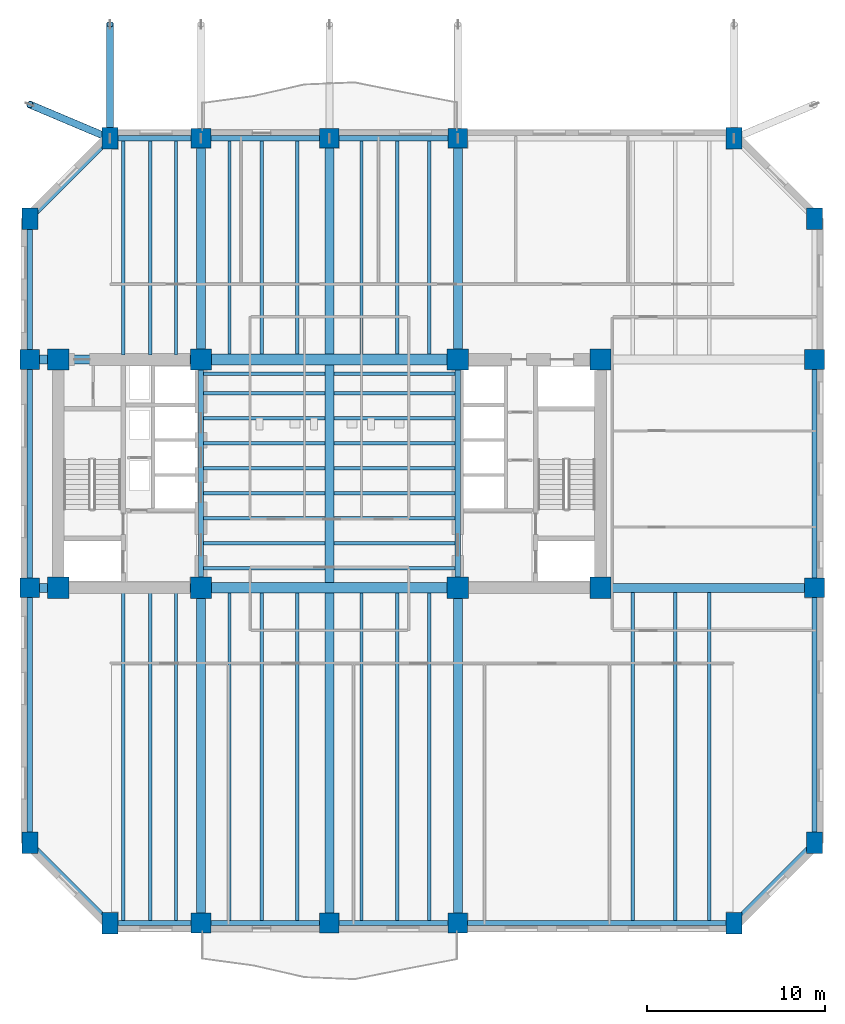
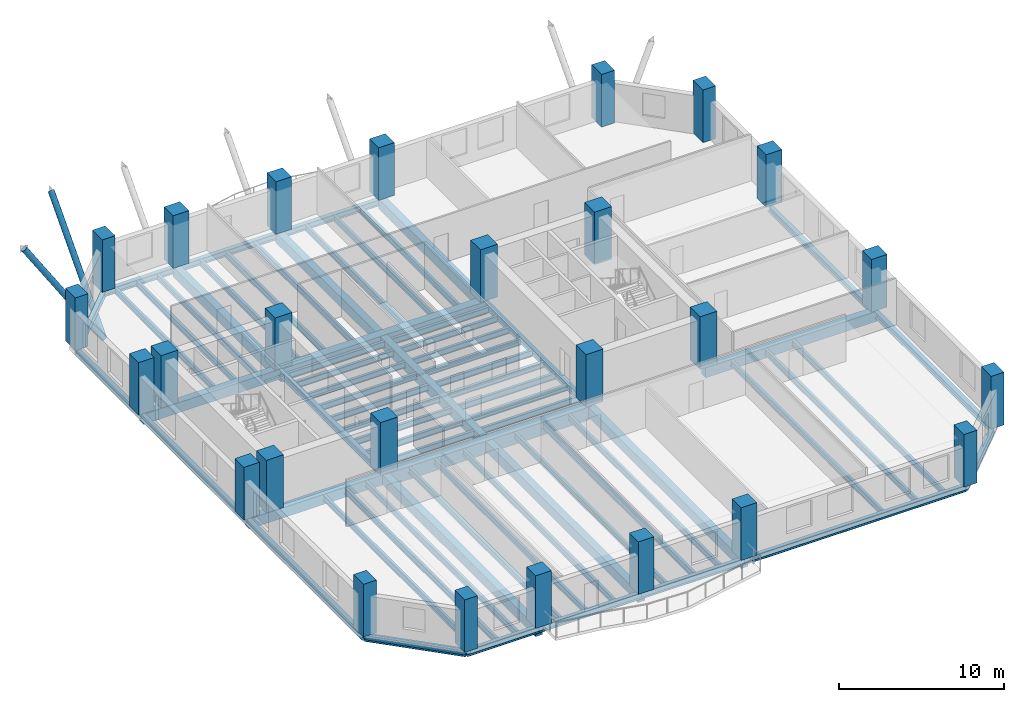
# One storey, part 1 of 12: 68 beams, 26 columns, 2 members.
"""IFC4 building model written with IfcOpenShell, lengths in metres."""

import ifcopenshell
import ifcopenshell.guid

model = None  # the IFC model being written
_history = None  # IfcOwnerHistory: only IFC2X3 demands one
_inside = {}  # id of a spatial element -> (the spatial element, [elements in it])
_under = {}  # id of a project, library or spatial element -> (it, [spatial elements below it])
_declared = {}  # id of a project -> (the project, [libraries it declares])
_typed = {}  # id of a type object -> (the type object, [elements of that type])
_made_of = {}  # id of a material, layer set ... -> (it, [elements and type objects made of it])


def new_model(schema):
    """Start an empty IFC model of exactly this schema.

    Asked for "IFC4X3", IfcOpenShell would pick the latest addendum, in which some entities
    have other attributes; the version numbers below select the first issue.
    IFC2X3 requires an IfcOwnerHistory on every rooted entity: one is made here for all.
    """
    global model, _history
    if schema == "IFC4X3":
        model = ifcopenshell.file(schema_version=(4, 3, 0, 0))
    else:
        model = ifcopenshell.file(schema=schema)
    _inside.clear()
    _under.clear()
    _declared.clear()
    _typed.clear()
    _made_of.clear()
    _history = None
    if model.schema == "IFC2X3":
        org = make("IfcOrganization", Name="unknown")
        user = make(
            "IfcPersonAndOrganization",
            ThePerson=make("IfcPerson", FamilyName="unknown"),
            TheOrganization=org,
        )
        app = make(
            "IfcApplication",
            ApplicationDeveloper=org,
            Version="unknown",
            ApplicationFullName="unknown",
            ApplicationIdentifier="unknown",
        )
        _history = make(
            "IfcOwnerHistory",
            OwningUser=user,
            OwningApplication=app,
            ChangeAction="ADDED",
            CreationDate=0,
        )
    return model


def make(cls, **values):
    """One entity of the class cls with the attributes given. An attribute that is None is left unset."""
    return model.create_entity(
        cls, **{name: value for name, value in values.items() if value is not None}
    )


def rooted(cls, **values):
    """An entity with a GlobalId (a new one), such as an element, a storey or a relation."""
    return make(cls, GlobalId=ifcopenshell.guid.new(), OwnerHistory=_history, **values)


def si_unit(unit_type, name, prefix=None):
    """IfcSIUnit, for example si_unit("LENGTHUNIT", "METRE", prefix="MILLI")."""
    return make("IfcSIUnit", UnitType=unit_type, Prefix=prefix, Name=name)


def assignment(units):
    """IfcUnitAssignment: the units of a project."""
    return None if units is None else make("IfcUnitAssignment", Units=units)


def point(xyz):
    """IfcCartesianPoint."""
    return None if xyz is None else make("IfcCartesianPoint", Coordinates=xyz)


def direction(xyz):
    """IfcDirection."""
    return None if xyz is None else make("IfcDirection", DirectionRatios=xyz)


def frame(location, z_axis=None, x_axis=None):
    """IfcAxis2Placement3D, a coordinate frame: its origin and axes. An axis left out is left unset."""
    return make(
        "IfcAxis2Placement3D",
        Location=point(location),
        Axis=direction(z_axis),
        RefDirection=direction(x_axis),
    )


def frame_2d(location, x_axis=None):
    """IfcAxis2Placement2D, a coordinate frame in the plane: its origin and x axis."""
    return make(
        "IfcAxis2Placement2D", Location=point(location), RefDirection=direction(x_axis)
    )


def origin():
    """The frame at (0, 0, 0) with its axes left unset."""
    return frame((0.0, 0.0, 0.0))


def origin_2d():
    """The frame at (0, 0) in the plane with its x axis left unset."""
    return frame_2d((0.0, 0.0))


def place(relative_to, where):
    """IfcLocalPlacement: puts the frame where relative to a parent placement (None: the world)."""
    return make(
        "IfcLocalPlacement", PlacementRelTo=relative_to, RelativePlacement=where
    )


def context(
    kind, dimensions, precision=None, world=None, true_north=None, identifier=None
):
    """IfcGeometricRepresentationContext, for example the 3D "Model" context."""
    return make(
        "IfcGeometricRepresentationContext",
        ContextIdentifier=identifier,
        ContextType=kind,
        CoordinateSpaceDimension=dimensions,
        Precision=precision,
        WorldCoordinateSystem=world,
        TrueNorth=true_north,
    )


def subcontext(parent, identifier, kind, view, scale=None):
    """IfcGeometricRepresentationSubContext, for example "Body" below "Model"."""
    return make(
        "IfcGeometricRepresentationSubContext",
        ContextIdentifier=identifier,
        ContextType=kind,
        ParentContext=parent,
        TargetScale=scale,
        TargetView=view,
    )


def project(units=None, contexts=None):
    """IfcProject with its units and contexts."""
    return rooted(
        "IfcProject",
        Name="project",
        RepresentationContexts=contexts,
        UnitsInContext=assignment(units),
    )


def spatial(cls, under=None, at=None, **own):
    """A site, building, storey or space (cls), placed at a placement, below another one or the project."""
    s = rooted(cls, ObjectPlacement=at, **own)
    if under is not None:
        _under.setdefault(under.id(), (under, []))[1].append(s)
    return s


def profile(cls, at=None, kind="AREA", **sizes):
    """A parametric profile (cls). Its sizes go by their IFC names, for example OverallWidth=200.0."""
    return make(cls, ProfileType=kind, Position=at, **sizes)


def rectangle(**sizes):
    """IfcRectangleProfileDef."""
    return profile("IfcRectangleProfileDef", **sizes)


def hollow_circle(**sizes):
    """IfcCircleHollowProfileDef."""
    return profile("IfcCircleHollowProfileDef", **sizes)


def i_section(**sizes):
    """IfcIShapeProfileDef."""
    return profile("IfcIShapeProfileDef", **sizes)


def extrude(swept, where, along, depth):
    """IfcExtrudedAreaSolid: the profile swept, set in the frame where, extruded along a direction by depth."""
    return make(
        "IfcExtrudedAreaSolid",
        SweptArea=swept,
        Position=where,
        ExtrudedDirection=direction(along),
        Depth=depth,
    )


def shape(context_of_items, identifier, shape_type, items):
    """IfcShapeRepresentation: the items that make up one representation, for example the "Body"."""
    return make(
        "IfcShapeRepresentation",
        ContextOfItems=context_of_items,
        RepresentationIdentifier=identifier,
        RepresentationType=shape_type,
        Items=items,
    )


def material(Name=None, Category=None):
    """IfcMaterial."""
    return make("IfcMaterial", Name=Name, Category=Category)


def material_profile(
    of_material, cross_section, Name=None, Category=None, Priority=None
):
    """IfcMaterialProfile: a cross section and its material."""
    return make(
        "IfcMaterialProfile",
        Name=Name,
        Material=of_material,
        Profile=cross_section,
        Priority=Priority,
        Category=Category,
    )


def profile_set(profiles, Name=None, composite=None):
    """IfcMaterialProfileSet."""
    return make(
        "IfcMaterialProfileSet",
        Name=Name,
        MaterialProfiles=profiles,
        CompositeProfile=composite,
    )


def made_of(thing, what):
    """Note that an element or type object is made of a material, layer set ...; save() writes the relation."""
    if what is not None:
        _made_of.setdefault(what.id(), (what, []))[1].append(thing)
    return thing


def type_object(cls, material=None, **own):
    """A type object (cls), such as IfcWallType, which elements share."""
    return made_of(rooted(cls, **own), material)


def element(
    cls,
    number,
    at=None,
    inside=None,
    cuts=None,
    type_object=None,
    material=None,
    context=None,
    identifier="Body",
    shape_type=None,
    held_by="IfcProductDefinitionShape",
    body=None,
    shapes=None,
    **own,
):
    """One element of the class cls, such as IfcWall. Its Tag is "e" and its number.

    at: its placement. inside: the storey or other place that contains it. cuts: it is an
    opening in that element (IfcRelVoidsElement). A single representation is given by context,
    identifier, shape_type and body (its items); several are given by shapes. held_by: the class
    of the entity that holds the representations. save() writes the other relations.
    """
    e = rooted(cls, Tag="e%d" % number, ObjectPlacement=at, **own)
    if body is not None:
        shapes = [shape(context, identifier, shape_type, body)]
    if shapes is not None:
        e.Representation = make(held_by, Representations=shapes)
    if inside is not None:
        _inside.setdefault(inside.id(), (inside, []))[1].append(e)
    if cuts is not None:
        rooted(
            "IfcRelVoidsElement", RelatingBuildingElement=cuts, RelatedOpeningElement=e
        )
    if type_object is not None:
        _typed.setdefault(type_object.id(), (type_object, []))[1].append(e)
    return made_of(e, material)


def aggregate(whole, parts):
    """IfcRelAggregates: a whole, such as a stair, and the parts it consists of."""
    return rooted("IfcRelAggregates", RelatingObject=whole, RelatedObjects=parts)


def save(model, path):
    """Write the relations noted so far, then the file.

    IfcRelAggregates (storeys below a building ...), IfcRelContainedInSpatialStructure (elements
    in a storey), IfcRelDefinesByType, IfcRelAssociatesMaterial and IfcRelDeclares: one each for
    every whole, place, type object, material and project.
    """
    for whole, parts in _under.values():
        aggregate(whole, parts)
    for where, things in _inside.values():
        rooted(
            "IfcRelContainedInSpatialStructure",
            RelatedElements=things,
            RelatingStructure=where,
        )
    for kind, things in _typed.values():
        rooted("IfcRelDefinesByType", RelatedObjects=things, RelatingType=kind)
    for what, things in _made_of.values():
        rooted("IfcRelAssociatesMaterial", RelatedObjects=things, RelatingMaterial=what)
    for by, libraries in _declared.values():
        rooted("IfcRelDeclares", RelatingContext=by, RelatedDefinitions=libraries)
    model.write(path)


model = new_model("IFC4")

# Units and contexts
model_context = context("Model", 3, precision=1e-05, world=origin(), true_north=direction((0.0, 1.0)))
body_context = subcontext(model_context, "Body", "Model", "MODEL_VIEW")
ifc_project = project(units=[si_unit("LENGTHUNIT", "METRE"), si_unit("AREAUNIT", "SQUARE_METRE"), si_unit("VOLUMEUNIT", "CUBIC_METRE"), si_unit("PLANEANGLEUNIT", "RADIAN"), si_unit("MASSUNIT", "GRAM", prefix="KILO")], contexts=[model_context])

# Site, building, storey
site_placement = place(None, origin())
site = spatial("IfcSite", under=ifc_project, at=site_placement, CompositionType="ELEMENT")
building_placement = place(site_placement, origin())
building = spatial("IfcBuilding", under=site, at=building_placement, Name="Kranthara Brick Stack", CompositionType="ELEMENT")
storey_placement = place(building_placement, frame((0.0, 0.0, 67.199951171875)))
storey = spatial("IfcBuildingStorey", under=building, at=storey_placement, Name="L16", CompositionType="ELEMENT", Elevation=67.199951171875)

# Columns
ifc_material_1 = material(Name="Concrete C70/85", Category="concrete")
ifc_material_profile_1 = material_profile(ifc_material_1, rectangle(XDim=0.89990234375, YDim=1.199951171875, at=origin_2d()), Name="RC 900x1200")
ifc_profile_set_1 = profile_set([ifc_material_profile_1], Name="Concrete C70/85")
column_type_1 = type_object("IfcColumnType", Name="COL-CHAM-900x1200", PredefinedType="COLUMN", material=ifc_profile_set_1)
for number, where, z_axis, x_axis, name in (
    (1, (15.699951171875, 2.0, 0.0), (0.0, 0.0, 1.0), (1.0, 0.0, 0.0), "L16 Column 09"),
    (2, (15.699951171875, 46.0, 0.0), (0.0, 0.0, 1.0), (1.0, 0.0, 0.0), "L16 Column 10"),
    (3, (50.699951171875, 2.0, 0.0), (0.0, 0.0, 1.0), (1.0, 0.0, 0.0), "L16 Column 17"),
    (4, (50.699951171875, 46.0, 0.0), (0.0, 0.0, 1.0), (1.0, 0.0, 0.0), "L16 Column 18"),
    (5, (11.199951171875, 6.5, 0.0), (0.0, 0.0, 1.0), (1.0, 0.0, 0.0), "L16 Column 19"),
    (6, (55.199951171875, 6.5, 0.0), (0.0, 0.0, 1.0), (1.0, 0.0, 0.0), "L16 Column 20"),
    (7, (11.199951171875, 41.5, 0.0), (0.0, 0.0, 1.0), (1.0, 0.0, 0.0), "L16 Column 25"),
    (8, (55.199951171875, 41.5, 0.0), (0.0, 0.0, 1.0), (1.0, 0.0, 0.0), "L16 Column 26"),
):
    element("IfcColumn", number, at=place(storey_placement, frame(where, z_axis=z_axis, x_axis=x_axis)), inside=storey, type_object=column_type_1, Name=name, PredefinedType="COLUMN", context=body_context, shape_type="SweptSolid", body=[
        extrude(rectangle(XDim=0.89990234375, YDim=1.199951171875, at=origin_2d()), origin(), (0.0, 0.0, 1.0), 3.900146484375),
    ])
ifc_material_2 = material(Name="Concrete C70/85", Category="concrete")
ifc_material_profile_2 = material_profile(ifc_material_2, rectangle(XDim=1.199951171875, YDim=1.199951171875, at=origin_2d()), Name="RC 1200x1200")
ifc_profile_set_2 = profile_set([ifc_material_profile_2], Name="Concrete C70/85")
column_type_2 = type_object("IfcColumnType", Name="COL-CORE-1200", PredefinedType="COLUMN", material=ifc_profile_set_2)
for number, where, z_axis, x_axis, name in (
    (9, (12.800048828125, 20.800048828125, 0.0), (0.0, 0.0, 1.0), (1.0, 0.0, 0.0), "L16 Column 01"),
    (10, (20.800048828125, 20.800048828125, 0.0), (0.0, 0.0, 1.0), (1.0, 0.0, 0.0), "L16 Column 02"),
    (11, (12.800048828125, 33.60009765625, 0.0), (0.0, 0.0, 1.0), (1.0, 0.0, 0.0), "L16 Column 03"),
    (12, (20.800048828125, 33.60009765625, 0.0), (0.0, 0.0, 1.0), (1.0, 0.0, 0.0), "L16 Column 04"),
    (13, (35.199951171875, 20.800048828125, 0.0), (0.0, 0.0, 1.0), (1.0, 0.0, 0.0), "L16 Column 05"),
    (14, (43.199951171875, 20.800048828125, 0.0), (0.0, 0.0, 1.0), (1.0, 0.0, 0.0), "L16 Column 06"),
    (15, (35.199951171875, 33.60009765625, 0.0), (0.0, 0.0, 1.0), (1.0, 0.0, 0.0), "L16 Column 07"),
    (16, (43.199951171875, 33.60009765625, 0.0), (0.0, 0.0, 1.0), (1.0, 0.0, 0.0), "L16 Column 08"),
):
    element("IfcColumn", number, at=place(storey_placement, frame(where, z_axis=z_axis, x_axis=x_axis)), inside=storey, type_object=column_type_2, Name=name, PredefinedType="COLUMN", context=body_context, shape_type="SweptSolid", body=[
        extrude(rectangle(XDim=1.199951171875, YDim=1.199951171875, at=origin_2d()), origin(), (0.0, 0.0, 1.0), 3.900146484375),
    ])
ifc_material_3 = material(Name="Concrete C70/85", Category="concrete")
ifc_material_profile_3 = material_profile(ifc_material_3, rectangle(XDim=1.10009765625, YDim=1.10009765625, at=origin_2d()), Name="RC 1100x1100")
ifc_profile_set_3 = profile_set([ifc_material_profile_3], Name="Concrete C70/85")
column_type_3 = type_object("IfcColumnType", Name="COL-PER-1100", PredefinedType="COLUMN", material=ifc_profile_set_3)
for number, where, z_axis, x_axis, name in (
    (17, (20.800048828125, 2.0, 0.0), (0.0, 0.0, 1.0), (1.0, 0.0, 0.0), "L16 Column 11"),
    (18, (20.800048828125, 46.0, 0.0), (0.0, 0.0, 1.0), (1.0, 0.0, 0.0), "L16 Column 12"),
    (19, (28.0, 2.0, 0.0), (0.0, 0.0, 1.0), (1.0, 0.0, 0.0), "L16 Column 13"),
    (20, (28.0, 46.0, 0.0), (0.0, 0.0, 1.0), (1.0, 0.0, 0.0), "L16 Column 14"),
    (21, (35.199951171875, 2.0, 0.0), (0.0, 0.0, 1.0), (1.0, 0.0, 0.0), "L16 Column 15"),
    (22, (35.199951171875, 46.0, 0.0), (0.0, 0.0, 1.0), (1.0, 0.0, 0.0), "L16 Column 16"),
    (23, (11.199951171875, 20.800048828125, 0.0), (0.0, 0.0, 1.0), (1.0, 0.0, 0.0), "L16 Column 21"),
    (24, (55.199951171875, 20.800048828125, 0.0), (0.0, 0.0, 1.0), (1.0, 0.0, 0.0), "L16 Column 22"),
    (25, (11.199951171875, 33.60009765625, 0.0), (0.0, 0.0, 1.0), (1.0, 0.0, 0.0), "L16 Column 23"),
    (26, (55.199951171875, 33.60009765625, 0.0), (0.0, 0.0, 1.0), (1.0, 0.0, 0.0), "L16 Column 24"),
):
    element("IfcColumn", number, at=place(storey_placement, frame(where, z_axis=z_axis, x_axis=x_axis)), inside=storey, type_object=column_type_3, Name=name, PredefinedType="COLUMN", context=body_context, shape_type="SweptSolid", body=[
        extrude(rectangle(XDim=1.10009765625, YDim=1.10009765625, at=origin_2d()), origin(), (0.0, 0.0, 1.0), 3.900146484375),
    ])

# Beams
ifc_material_4 = material(Name="Concrete C60/75", Category="concrete")
ifc_material_profile_4 = material_profile(ifc_material_4, rectangle(XDim=0.60009765625, YDim=0.949951171875, at=origin_2d()), Name="RC 600x950")
ifc_profile_set_4 = profile_set([ifc_material_profile_4], Name="Concrete C60/75")
beam_type_1 = type_object("IfcBeamType", Name="BM-CPL-RC950", PredefinedType="LINTEL", material=ifc_profile_set_4)
for number, where, z_axis, x_axis, name in (
    (27, (20.800048828125, 20.800048828125, -0.77490234375), (1.0, 0.0, 0.0), (0.0, 1.0, 0.0), "L16 Core Coupling Beam 001"),
    (28, (20.800048828125, 33.60009765625, -0.77490234375), (1.0, 0.0, 0.0), (0.0, 1.0, 0.0), "L16 Core Coupling Beam 002"),
):
    element("IfcBeam", number, at=place(storey_placement, frame(where, z_axis=z_axis, x_axis=x_axis)), inside=storey, type_object=beam_type_1, Name=name, PredefinedType="LINTEL", context=body_context, shape_type="SweptSolid", body=[
        extrude(rectangle(XDim=0.60009765625, YDim=0.949951171875, at=origin_2d()), origin(), (0.0, 0.0, 1.0), 14.39990234375),
    ])
ifc_material_5 = material(Name="Post-tensioned concrete C45/55", Category="concrete")
ifc_material_profile_5 = material_profile(ifc_material_5, rectangle(XDim=0.5, YDim=0.75, at=origin_2d()), Name="PT 500x750")
ifc_profile_set_5 = profile_set([ifc_material_profile_5], Name="Post-tensioned concrete C45/55")
beam_type_2 = type_object("IfcBeamType", Name="BM-FLR-PT750", PredefinedType="BEAM", material=ifc_profile_set_5)
beam_1_placement = place(storey_placement, frame((20.800048828125, 2.0, -0.675048828125), z_axis=(0.0, 1.0, 0.0), x_axis=(-1.0, 0.0, 0.0)))
element("IfcBeam", 29, at=beam_1_placement, inside=storey, type_object=beam_type_2, Name="L16 Primary Grid Girder 023", PredefinedType="BEAM", context=body_context, shape_type="SweptSolid", body=[
    extrude(rectangle(XDim=0.5, YDim=0.75, at=origin_2d()), origin(), (0.0, 0.0, 1.0), 18.800048828125),
])
beam_2_placement = place(storey_placement, frame((20.800048828125, 33.60009765625, -0.675048828125), z_axis=(0.0, 1.0, 0.0), x_axis=(-1.0, 0.0, 0.0)))
element("IfcBeam", 30, at=beam_2_placement, inside=storey, type_object=beam_type_2, Name="L16 Primary Grid Girder 024", PredefinedType="BEAM", context=body_context, shape_type="SweptSolid", body=[
    extrude(rectangle(XDim=0.5, YDim=0.75, at=origin_2d()), origin(), (0.0, 0.0, 1.0), 12.39990234375),
])
beam_3_placement = place(storey_placement, frame((28.0, 2.0, -0.675048828125), z_axis=(0.0, 1.0, 0.0), x_axis=(-1.0, 0.0, 0.0)))
element("IfcBeam", 31, at=beam_3_placement, inside=storey, type_object=beam_type_2, Name="L16 Primary Grid Girder 025", PredefinedType="BEAM", context=body_context, shape_type="SweptSolid", body=[
    extrude(rectangle(XDim=0.5, YDim=0.75, at=origin_2d()), origin(), (0.0, 0.0, 1.0), 18.5),
])
beam_4_placement = place(storey_placement, frame((28.0, 21.10009765625, -0.675048828125), z_axis=(0.0, 1.0, 0.0), x_axis=(-1.0, 0.0, 0.0)))
element("IfcBeam", 32, at=beam_4_placement, inside=storey, type_object=beam_type_2, Name="L16 Central Spine Girder 026", PredefinedType="BEAM", context=body_context, shape_type="SweptSolid", body=[
    extrude(rectangle(XDim=0.5, YDim=0.75, at=origin_2d()), origin(), (0.0, 0.0, 1.0), 12.199951171875),
])
beam_5_placement = place(storey_placement, frame((28.0, 33.89990234375, -0.675048828125), z_axis=(0.0, 1.0, 0.0), x_axis=(-1.0, 0.0, 0.0)))
element("IfcBeam", 33, at=beam_5_placement, inside=storey, type_object=beam_type_2, Name="L16 Primary Grid Girder 027", PredefinedType="BEAM", context=body_context, shape_type="SweptSolid", body=[
    extrude(rectangle(XDim=0.5, YDim=0.75, at=origin_2d()), origin(), (0.0, 0.0, 1.0), 12.10009765625),
])
beam_6_placement = place(storey_placement, frame((35.199951171875, 2.0, -0.675048828125), z_axis=(0.0, 1.0, 0.0), x_axis=(-1.0, 0.0, 0.0)))
element("IfcBeam", 34, at=beam_6_placement, inside=storey, type_object=beam_type_2, Name="L16 Primary Grid Girder 028", PredefinedType="BEAM", context=body_context, shape_type="SweptSolid", body=[
    extrude(rectangle(XDim=0.5, YDim=0.75, at=origin_2d()), origin(), (0.0, 0.0, 1.0), 18.800048828125),
])
beam_7_placement = place(storey_placement, frame((35.199951171875, 33.60009765625, -0.675048828125), z_axis=(0.0, 1.0, 0.0), x_axis=(-1.0, 0.0, 0.0)))
element("IfcBeam", 35, at=beam_7_placement, inside=storey, type_object=beam_type_2, Name="L16 Primary Grid Girder 029", PredefinedType="BEAM", context=body_context, shape_type="SweptSolid", body=[
    extrude(rectangle(XDim=0.5, YDim=0.75, at=origin_2d()), origin(), (0.0, 0.0, 1.0), 12.39990234375),
])
beam_8_placement = place(storey_placement, frame((11.199951171875, 20.800048828125, -0.675048828125), z_axis=(1.0, 0.0, 0.0), x_axis=(0.0, 1.0, 0.0)))
element("IfcBeam", 36, at=beam_8_placement, inside=storey, type_object=beam_type_2, Name="L16 Primary Grid Girder 030", PredefinedType="BEAM", context=body_context, shape_type="SweptSolid", body=[
    extrude(rectangle(XDim=0.5, YDim=0.75, at=origin_2d()), origin(), (0.0, 0.0, 1.0), 9.60009765625),
])
beam_9_placement = place(storey_placement, frame((43.199951171875, 20.800048828125, -0.675048828125), z_axis=(1.0, 0.0, 0.0), x_axis=(0.0, 1.0, 0.0)))
element("IfcBeam", 37, at=beam_9_placement, inside=storey, type_object=beam_type_2, Name="L16 Primary Grid Girder 031", PredefinedType="BEAM", context=body_context, shape_type="SweptSolid", body=[
    extrude(rectangle(XDim=0.5, YDim=0.75, at=origin_2d()), origin(), (0.0, 0.0, 1.0), 12.0),
])
beam_10_placement = place(storey_placement, frame((11.199951171875, 33.60009765625, -0.675048828125), z_axis=(1.0, 0.0, 0.0), x_axis=(0.0, 1.0, 0.0)))
element("IfcBeam", 38, at=beam_10_placement, inside=storey, type_object=beam_type_2, Name="L16 Primary Grid Girder 032", PredefinedType="BEAM", context=body_context, shape_type="SweptSolid", body=[
    extrude(rectangle(XDim=0.5, YDim=0.75, at=origin_2d()), origin(), (0.0, 0.0, 1.0), 9.60009765625),
])
ifc_material_6 = material(Name="Steel S355", Category="steel")
ifc_material_profile_6 = material_profile(ifc_material_6, i_section(OverallWidth=0.18994140625, OverallDepth=0.449951171875, WebThickness=0.009521484375, FlangeThickness=0.0146484375, at=origin_2d()), Name="IPE 450")
ifc_profile_set_6 = profile_set([ifc_material_profile_6], Name="Steel S355")
beam_type_3 = type_object("IfcBeamType", Name="BM-JST-IPE450", PredefinedType="JOIST", material=ifc_profile_set_6)
for number, where, z_axis, x_axis, name in (
    (39, (20.949951171875, 21.89990234375, -0.52490234375), (1.0, 0.0, 0.0), (0.0, 1.0, 0.0), "L16 Central Floor Joist 034"),
    (40, (28.25, 21.89990234375, -0.52490234375), (1.0, 0.0, 0.0), (0.0, 1.0, 0.0), "L16 Central Floor Joist 035"),
    (41, (20.949951171875, 23.300048828125, -0.52490234375), (1.0, 0.0, 0.0), (0.0, 1.0, 0.0), "L16 Central Floor Joist 036"),
    (42, (28.25, 23.300048828125, -0.52490234375), (1.0, 0.0, 0.0), (0.0, 1.0, 0.0), "L16 Central Floor Joist 037"),
    (43, (20.949951171875, 24.699951171875, -0.52490234375), (1.0, 0.0, 0.0), (0.0, 1.0, 0.0), "L16 Central Floor Joist 038"),
    (44, (28.25, 24.699951171875, -0.52490234375), (1.0, 0.0, 0.0), (0.0, 1.0, 0.0), "L16 Central Floor Joist 039"),
    (45, (20.949951171875, 26.10009765625, -0.52490234375), (1.0, 0.0, 0.0), (0.0, 1.0, 0.0), "L16 Central Floor Joist 040"),
    (46, (28.25, 26.10009765625, -0.52490234375), (1.0, 0.0, 0.0), (0.0, 1.0, 0.0), "L16 Central Floor Joist 041"),
    (47, (20.949951171875, 27.5, -0.52490234375), (1.0, 0.0, 0.0), (0.0, 1.0, 0.0), "L16 Central Floor Joist 042"),
    (48, (28.25, 27.5, -0.52490234375), (1.0, 0.0, 0.0), (0.0, 1.0, 0.0), "L16 Central Floor Joist 043"),
    (49, (20.949951171875, 28.89990234375, -0.52490234375), (1.0, 0.0, 0.0), (0.0, 1.0, 0.0), "L16 Central Floor Joist 044"),
    (50, (28.25, 28.89990234375, -0.52490234375), (1.0, 0.0, 0.0), (0.0, 1.0, 0.0), "L16 Central Floor Joist 045"),
    (51, (20.949951171875, 30.300048828125, -0.52490234375), (1.0, 0.0, 0.0), (0.0, 1.0, 0.0), "L16 Central Floor Joist 046"),
    (52, (28.25, 30.300048828125, -0.52490234375), (1.0, 0.0, 0.0), (0.0, 1.0, 0.0), "L16 Central Floor Joist 047"),
    (53, (20.949951171875, 31.699951171875, -0.52490234375), (1.0, 0.0, 0.0), (0.0, 1.0, 0.0), "L16 Central Floor Joist 048"),
    (54, (28.25, 31.699951171875, -0.52490234375), (1.0, 0.0, 0.0), (0.0, 1.0, 0.0), "L16 Central Floor Joist 049"),
    (55, (20.949951171875, 32.800048828125, -0.52490234375), (1.0, 0.0, 0.0), (0.0, 1.0, 0.0), "L16 Central Floor Joist 050"),
    (56, (28.25, 32.800048828125, -0.52490234375), (1.0, 0.0, 0.0), (0.0, 1.0, 0.0), "L16 Central Floor Joist 051"),
):
    element("IfcBeam", number, at=place(storey_placement, frame(where, z_axis=z_axis, x_axis=x_axis)), inside=storey, type_object=beam_type_3, Name=name, PredefinedType="JOIST", context=body_context, shape_type="SweptSolid", body=[
        extrude(i_section(OverallWidth=0.18994140625, OverallDepth=0.449951171875, WebThickness=0.009521484375, FlangeThickness=0.0146484375, at=origin_2d()), origin(), (0.0, 0.0, 1.0), 6.800048828125),
    ])
beam_11_placement = place(storey_placement, frame((16.449951171875, 2.14990234375, -0.52490234375), z_axis=(0.0, 1.0, 0.0), x_axis=(-1.0, 0.0, 0.0)))
element("IfcBeam", 57, at=beam_11_placement, inside=storey, type_object=beam_type_3, Name="L16 South Wing Floor Joist 052", PredefinedType="JOIST", context=body_context, shape_type="SweptSolid", body=[
    extrude(i_section(OverallWidth=0.18994140625, OverallDepth=0.449951171875, WebThickness=0.009521484375, FlangeThickness=0.0146484375, at=origin_2d()), origin(), (0.0, 0.0, 1.0), 18.400146484375),
])
beam_12_placement = place(storey_placement, frame((16.449951171875, 33.85009765625, -0.52490234375), z_axis=(0.0, 1.0, 0.0), x_axis=(-1.0, 0.0, 0.0)))
element("IfcBeam", 58, at=beam_12_placement, inside=storey, type_object=beam_type_3, Name="L16 North Wing Floor Joist 053", PredefinedType="JOIST", context=body_context, shape_type="SweptSolid", body=[
    extrude(i_section(OverallWidth=0.18994140625, OverallDepth=0.449951171875, WebThickness=0.009521484375, FlangeThickness=0.0146484375, at=origin_2d()), origin(), (0.0, 0.0, 1.0), 12.0),
])
beam_13_placement = place(storey_placement, frame((17.949951171875, 2.14990234375, -0.52490234375), z_axis=(0.0, 1.0, 0.0), x_axis=(-1.0, 0.0, 0.0)))
element("IfcBeam", 59, at=beam_13_placement, inside=storey, type_object=beam_type_3, Name="L16 South Wing Floor Joist 054", PredefinedType="JOIST", context=body_context, shape_type="SweptSolid", body=[
    extrude(i_section(OverallWidth=0.18994140625, OverallDepth=0.449951171875, WebThickness=0.009521484375, FlangeThickness=0.0146484375, at=origin_2d()), origin(), (0.0, 0.0, 1.0), 18.400146484375),
])
beam_14_placement = place(storey_placement, frame((17.949951171875, 33.85009765625, -0.52490234375), z_axis=(0.0, 1.0, 0.0), x_axis=(-1.0, 0.0, 0.0)))
element("IfcBeam", 60, at=beam_14_placement, inside=storey, type_object=beam_type_3, Name="L16 North Wing Floor Joist 055", PredefinedType="JOIST", context=body_context, shape_type="SweptSolid", body=[
    extrude(i_section(OverallWidth=0.18994140625, OverallDepth=0.449951171875, WebThickness=0.009521484375, FlangeThickness=0.0146484375, at=origin_2d()), origin(), (0.0, 0.0, 1.0), 12.0),
])
beam_15_placement = place(storey_placement, frame((19.39990234375, 2.14990234375, -0.52490234375), z_axis=(0.0, 1.0, 0.0), x_axis=(-1.0, 0.0, 0.0)))
element("IfcBeam", 61, at=beam_15_placement, inside=storey, type_object=beam_type_3, Name="L16 South Wing Floor Joist 056", PredefinedType="JOIST", context=body_context, shape_type="SweptSolid", body=[
    extrude(i_section(OverallWidth=0.18994140625, OverallDepth=0.449951171875, WebThickness=0.009521484375, FlangeThickness=0.0146484375, at=origin_2d()), origin(), (0.0, 0.0, 1.0), 18.400146484375),
])
beam_16_placement = place(storey_placement, frame((19.39990234375, 33.85009765625, -0.52490234375), z_axis=(0.0, 1.0, 0.0), x_axis=(-1.0, 0.0, 0.0)))
element("IfcBeam", 62, at=beam_16_placement, inside=storey, type_object=beam_type_3, Name="L16 North Wing Floor Joist 057", PredefinedType="JOIST", context=body_context, shape_type="SweptSolid", body=[
    extrude(i_section(OverallWidth=0.18994140625, OverallDepth=0.449951171875, WebThickness=0.009521484375, FlangeThickness=0.0146484375, at=origin_2d()), origin(), (0.0, 0.0, 1.0), 12.0),
])
beam_17_placement = place(storey_placement, frame((22.39990234375, 2.14990234375, -0.52490234375), z_axis=(0.0, 1.0, 0.0), x_axis=(-1.0, 0.0, 0.0)))
element("IfcBeam", 63, at=beam_17_placement, inside=storey, type_object=beam_type_3, Name="L16 South Wing Floor Joist 058", PredefinedType="JOIST", context=body_context, shape_type="SweptSolid", body=[
    extrude(i_section(OverallWidth=0.18994140625, OverallDepth=0.449951171875, WebThickness=0.009521484375, FlangeThickness=0.0146484375, at=origin_2d()), origin(), (0.0, 0.0, 1.0), 18.35009765625),
])
beam_18_placement = place(storey_placement, frame((22.39990234375, 33.89990234375, -0.52490234375), z_axis=(0.0, 1.0, 0.0), x_axis=(-1.0, 0.0, 0.0)))
element("IfcBeam", 64, at=beam_18_placement, inside=storey, type_object=beam_type_3, Name="L16 North Wing Floor Joist 059", PredefinedType="JOIST", context=body_context, shape_type="SweptSolid", body=[
    extrude(i_section(OverallWidth=0.18994140625, OverallDepth=0.449951171875, WebThickness=0.009521484375, FlangeThickness=0.0146484375, at=origin_2d()), origin(), (0.0, 0.0, 1.0), 11.9501953125),
])
beam_19_placement = place(storey_placement, frame((24.199951171875, 2.14990234375, -0.52490234375), z_axis=(0.0, 1.0, 0.0), x_axis=(-1.0, 0.0, 0.0)))
element("IfcBeam", 65, at=beam_19_placement, inside=storey, type_object=beam_type_3, Name="L16 South Wing Floor Joist 060", PredefinedType="JOIST", context=body_context, shape_type="SweptSolid", body=[
    extrude(i_section(OverallWidth=0.18994140625, OverallDepth=0.449951171875, WebThickness=0.009521484375, FlangeThickness=0.0146484375, at=origin_2d()), origin(), (0.0, 0.0, 1.0), 18.35009765625),
])
beam_20_placement = place(storey_placement, frame((24.199951171875, 33.89990234375, -0.52490234375), z_axis=(0.0, 1.0, 0.0), x_axis=(-1.0, 0.0, 0.0)))
element("IfcBeam", 66, at=beam_20_placement, inside=storey, type_object=beam_type_3, Name="L16 North Wing Floor Joist 061", PredefinedType="JOIST", context=body_context, shape_type="SweptSolid", body=[
    extrude(i_section(OverallWidth=0.18994140625, OverallDepth=0.449951171875, WebThickness=0.009521484375, FlangeThickness=0.0146484375, at=origin_2d()), origin(), (0.0, 0.0, 1.0), 11.9501953125),
])
beam_21_placement = place(storey_placement, frame((26.199951171875, 2.14990234375, -0.52490234375), z_axis=(0.0, 1.0, 0.0), x_axis=(-1.0, 0.0, 0.0)))
element("IfcBeam", 67, at=beam_21_placement, inside=storey, type_object=beam_type_3, Name="L16 South Wing Floor Joist 062", PredefinedType="JOIST", context=body_context, shape_type="SweptSolid", body=[
    extrude(i_section(OverallWidth=0.18994140625, OverallDepth=0.449951171875, WebThickness=0.009521484375, FlangeThickness=0.0146484375, at=origin_2d()), origin(), (0.0, 0.0, 1.0), 18.35009765625),
])
beam_22_placement = place(storey_placement, frame((26.199951171875, 33.89990234375, -0.52490234375), z_axis=(0.0, 1.0, 0.0), x_axis=(-1.0, 0.0, 0.0)))
element("IfcBeam", 68, at=beam_22_placement, inside=storey, type_object=beam_type_3, Name="L16 North Wing Floor Joist 063", PredefinedType="JOIST", context=body_context, shape_type="SweptSolid", body=[
    extrude(i_section(OverallWidth=0.18994140625, OverallDepth=0.449951171875, WebThickness=0.009521484375, FlangeThickness=0.0146484375, at=origin_2d()), origin(), (0.0, 0.0, 1.0), 11.9501953125),
])
beam_23_placement = place(storey_placement, frame((29.800048828125, 2.14990234375, -0.52490234375), z_axis=(0.0, 1.0, 0.0), x_axis=(-1.0, 0.0, 0.0)))
element("IfcBeam", 69, at=beam_23_placement, inside=storey, type_object=beam_type_3, Name="L16 South Wing Floor Joist 064", PredefinedType="JOIST", context=body_context, shape_type="SweptSolid", body=[
    extrude(i_section(OverallWidth=0.18994140625, OverallDepth=0.449951171875, WebThickness=0.009521484375, FlangeThickness=0.0146484375, at=origin_2d()), origin(), (0.0, 0.0, 1.0), 18.35009765625),
])
beam_24_placement = place(storey_placement, frame((29.800048828125, 33.89990234375, -0.52490234375), z_axis=(0.0, 1.0, 0.0), x_axis=(-1.0, 0.0, 0.0)))
element("IfcBeam", 70, at=beam_24_placement, inside=storey, type_object=beam_type_3, Name="L16 North Wing Floor Joist 065", PredefinedType="JOIST", context=body_context, shape_type="SweptSolid", body=[
    extrude(i_section(OverallWidth=0.18994140625, OverallDepth=0.449951171875, WebThickness=0.009521484375, FlangeThickness=0.0146484375, at=origin_2d()), origin(), (0.0, 0.0, 1.0), 11.9501953125),
])
beam_25_placement = place(storey_placement, frame((31.800048828125, 2.14990234375, -0.52490234375), z_axis=(0.0, 1.0, 0.0), x_axis=(-1.0, 0.0, 0.0)))
element("IfcBeam", 71, at=beam_25_placement, inside=storey, type_object=beam_type_3, Name="L16 South Wing Floor Joist 066", PredefinedType="JOIST", context=body_context, shape_type="SweptSolid", body=[
    extrude(i_section(OverallWidth=0.18994140625, OverallDepth=0.449951171875, WebThickness=0.009521484375, FlangeThickness=0.0146484375, at=origin_2d()), origin(), (0.0, 0.0, 1.0), 18.35009765625),
])
beam_26_placement = place(storey_placement, frame((31.800048828125, 33.89990234375, -0.52490234375), z_axis=(0.0, 1.0, 0.0), x_axis=(-1.0, 0.0, 0.0)))
element("IfcBeam", 72, at=beam_26_placement, inside=storey, type_object=beam_type_3, Name="L16 North Wing Floor Joist 067", PredefinedType="JOIST", context=body_context, shape_type="SweptSolid", body=[
    extrude(i_section(OverallWidth=0.18994140625, OverallDepth=0.449951171875, WebThickness=0.009521484375, FlangeThickness=0.0146484375, at=origin_2d()), origin(), (0.0, 0.0, 1.0), 11.9501953125),
])
beam_27_placement = place(storey_placement, frame((33.60009765625, 2.14990234375, -0.52490234375), z_axis=(0.0, 1.0, 0.0), x_axis=(-1.0, 0.0, 0.0)))
element("IfcBeam", 73, at=beam_27_placement, inside=storey, type_object=beam_type_3, Name="L16 South Wing Floor Joist 068", PredefinedType="JOIST", context=body_context, shape_type="SweptSolid", body=[
    extrude(i_section(OverallWidth=0.18994140625, OverallDepth=0.449951171875, WebThickness=0.009521484375, FlangeThickness=0.0146484375, at=origin_2d()), origin(), (0.0, 0.0, 1.0), 18.35009765625),
])
beam_28_placement = place(storey_placement, frame((33.60009765625, 33.89990234375, -0.52490234375), z_axis=(0.0, 1.0, 0.0), x_axis=(-1.0, 0.0, 0.0)))
element("IfcBeam", 74, at=beam_28_placement, inside=storey, type_object=beam_type_3, Name="L16 North Wing Floor Joist 069", PredefinedType="JOIST", context=body_context, shape_type="SweptSolid", body=[
    extrude(i_section(OverallWidth=0.18994140625, OverallDepth=0.449951171875, WebThickness=0.009521484375, FlangeThickness=0.0146484375, at=origin_2d()), origin(), (0.0, 0.0, 1.0), 11.9501953125),
])
for number, where, z_axis, x_axis, name in (
    (75, (45.0, 2.14990234375, -0.52490234375), (0.0, 1.0, 0.0), (-1.0, 0.0, 0.0), "L16 South Wing Floor Joist 070"),
    (76, (47.39990234375, 2.14990234375, -0.52490234375), (0.0, 1.0, 0.0), (-1.0, 0.0, 0.0), "L16 South Wing Floor Joist 072"),
    (77, (49.300048828125, 2.14990234375, -0.52490234375), (0.0, 1.0, 0.0), (-1.0, 0.0, 0.0), "L16 South Wing Floor Joist 074"),
):
    element("IfcBeam", number, at=place(storey_placement, frame(where, z_axis=z_axis, x_axis=x_axis)), inside=storey, type_object=beam_type_3, Name=name, PredefinedType="JOIST", context=body_context, shape_type="SweptSolid", body=[
        extrude(i_section(OverallWidth=0.18994140625, OverallDepth=0.449951171875, WebThickness=0.009521484375, FlangeThickness=0.0146484375, at=origin_2d()), origin(), (0.0, 0.0, 1.0), 18.400146484375),
    ])
ifc_material_7 = material(Name="Steel S355", Category="steel")
ifc_material_profile_7 = material_profile(ifc_material_7, i_section(OverallWidth=0.300048828125, OverallDepth=0.449951171875, WebThickness=0.013916015625, FlangeThickness=0.02587890625, at=origin_2d()), Name="HEB 450")
ifc_profile_set_7 = profile_set([ifc_material_profile_7], Name="Steel S355")
beam_type_4 = type_object("IfcBeamType", Name="BM-STL-HEB450", PredefinedType="SPANDREL", material=ifc_profile_set_7)
for number, where, z_axis, x_axis, name in (
    (78, (20.800048828125, 20.800048828125, -0.52490234375), (0.0, 1.0, 0.0), (-1.0, 0.0, 0.0), "L16 Core Edge Tie Beam 003"),
    (79, (35.199951171875, 20.800048828125, -0.52490234375), (0.0, 1.0, 0.0), (-1.0, 0.0, 0.0), "L16 Core Edge Tie Beam 004"),
):
    element("IfcBeam", number, at=place(storey_placement, frame(where, z_axis=z_axis, x_axis=x_axis)), inside=storey, type_object=beam_type_4, Name=name, PredefinedType="SPANDREL", context=body_context, shape_type="SweptSolid", body=[
        extrude(i_section(OverallWidth=0.300048828125, OverallDepth=0.449951171875, WebThickness=0.013916015625, FlangeThickness=0.02587890625, at=origin_2d()), origin(), (0.0, 0.0, 1.0), 12.800048828125),
    ])
beam_29_placement = place(storey_placement, frame((15.699951171875, 2.0, -0.52490234375), z_axis=(1.0, 0.0, 0.0), x_axis=(0.0, 1.0, 0.0)))
element("IfcBeam", 80, at=beam_29_placement, inside=storey, type_object=beam_type_4, Name="L16 Perimeter Spandrel Beam 005", PredefinedType="SPANDREL", context=body_context, shape_type="SweptSolid", body=[
    extrude(i_section(OverallWidth=0.300048828125, OverallDepth=0.449951171875, WebThickness=0.013916015625, FlangeThickness=0.02587890625, at=origin_2d()), origin(), (0.0, 0.0, 1.0), 5.10009765625),
])
for number, where, z_axis, x_axis, name in (
    (81, (20.800048828125, 2.0, -0.52490234375), (1.0, 0.0, 0.0), (0.0, 1.0, 0.0), "L16 Perimeter Spandrel Beam 006"),
    (82, (28.0, 2.0, -0.52490234375), (1.0, 0.0, 0.0), (0.0, 1.0, 0.0), "L16 Perimeter Spandrel Beam 007"),
):
    element("IfcBeam", number, at=place(storey_placement, frame(where, z_axis=z_axis, x_axis=x_axis)), inside=storey, type_object=beam_type_4, Name=name, PredefinedType="SPANDREL", context=body_context, shape_type="SweptSolid", body=[
        extrude(i_section(OverallWidth=0.300048828125, OverallDepth=0.449951171875, WebThickness=0.013916015625, FlangeThickness=0.02587890625, at=origin_2d()), origin(), (0.0, 0.0, 1.0), 7.199951171875),
    ])
beam_30_placement = place(storey_placement, frame((35.199951171875, 2.0, -0.52490234375), z_axis=(1.0, 0.0, 0.0), x_axis=(0.0, 1.0, 0.0)))
element("IfcBeam", 83, at=beam_30_placement, inside=storey, type_object=beam_type_4, Name="L16 Perimeter Spandrel Beam 008", PredefinedType="SPANDREL", context=body_context, shape_type="SweptSolid", body=[
    extrude(i_section(OverallWidth=0.300048828125, OverallDepth=0.449951171875, WebThickness=0.013916015625, FlangeThickness=0.02587890625, at=origin_2d()), origin(), (0.0, 0.0, 1.0), 15.5),
])
beam_31_placement = place(storey_placement, frame((15.699951171875, 46.0, -0.52490234375), z_axis=(1.0, 0.0, 0.0), x_axis=(0.0, 1.0, 0.0)))
element("IfcBeam", 84, at=beam_31_placement, inside=storey, type_object=beam_type_4, Name="L16 Perimeter Spandrel Beam 009", PredefinedType="SPANDREL", context=body_context, shape_type="SweptSolid", body=[
    extrude(i_section(OverallWidth=0.300048828125, OverallDepth=0.449951171875, WebThickness=0.013916015625, FlangeThickness=0.02587890625, at=origin_2d()), origin(), (0.0, 0.0, 1.0), 5.10009765625),
])
for number, where, z_axis, x_axis, name in (
    (85, (20.800048828125, 46.0, -0.52490234375), (1.0, 0.0, 0.0), (0.0, 1.0, 0.0), "L16 Perimeter Spandrel Beam 010"),
    (86, (28.0, 46.0, -0.52490234375), (1.0, 0.0, 0.0), (0.0, 1.0, 0.0), "L16 Perimeter Spandrel Beam 011"),
):
    element("IfcBeam", number, at=place(storey_placement, frame(where, z_axis=z_axis, x_axis=x_axis)), inside=storey, type_object=beam_type_4, Name=name, PredefinedType="SPANDREL", context=body_context, shape_type="SweptSolid", body=[
        extrude(i_section(OverallWidth=0.300048828125, OverallDepth=0.449951171875, WebThickness=0.013916015625, FlangeThickness=0.02587890625, at=origin_2d()), origin(), (0.0, 0.0, 1.0), 7.199951171875),
    ])
beam_32_placement = place(storey_placement, frame((11.199951171875, 6.5, -0.52490234375), z_axis=(0.0, 1.0, 0.0), x_axis=(-1.0, 0.0, 0.0)))
element("IfcBeam", 87, at=beam_32_placement, inside=storey, type_object=beam_type_4, Name="L16 Perimeter Spandrel Beam 013", PredefinedType="SPANDREL", context=body_context, shape_type="SweptSolid", body=[
    extrude(i_section(OverallWidth=0.300048828125, OverallDepth=0.449951171875, WebThickness=0.013916015625, FlangeThickness=0.02587890625, at=origin_2d()), origin(), (0.0, 0.0, 1.0), 14.300048828125),
])
beam_33_placement = place(storey_placement, frame((11.199951171875, 20.800048828125, -0.52490234375), z_axis=(0.0, 1.0, 0.0), x_axis=(-1.0, 0.0, 0.0)))
element("IfcBeam", 88, at=beam_33_placement, inside=storey, type_object=beam_type_4, Name="L16 Perimeter Spandrel Beam 014", PredefinedType="SPANDREL", context=body_context, shape_type="SweptSolid", body=[
    extrude(i_section(OverallWidth=0.300048828125, OverallDepth=0.449951171875, WebThickness=0.013916015625, FlangeThickness=0.02587890625, at=origin_2d()), origin(), (0.0, 0.0, 1.0), 12.800048828125),
])
beam_34_placement = place(storey_placement, frame((11.199951171875, 33.60009765625, -0.52490234375), z_axis=(0.0, 1.0, 0.0), x_axis=(-1.0, 0.0, 0.0)))
element("IfcBeam", 89, at=beam_34_placement, inside=storey, type_object=beam_type_4, Name="L16 Perimeter Spandrel Beam 015", PredefinedType="SPANDREL", context=body_context, shape_type="SweptSolid", body=[
    extrude(i_section(OverallWidth=0.300048828125, OverallDepth=0.449951171875, WebThickness=0.013916015625, FlangeThickness=0.02587890625, at=origin_2d()), origin(), (0.0, 0.0, 1.0), 7.89990234375),
])
beam_35_placement = place(storey_placement, frame((55.199951171875, 6.5, -0.52490234375), z_axis=(0.0, 1.0, 0.0), x_axis=(-1.0, 0.0, 0.0)))
element("IfcBeam", 90, at=beam_35_placement, inside=storey, type_object=beam_type_4, Name="L16 Perimeter Spandrel Beam 016", PredefinedType="SPANDREL", context=body_context, shape_type="SweptSolid", body=[
    extrude(i_section(OverallWidth=0.300048828125, OverallDepth=0.449951171875, WebThickness=0.013916015625, FlangeThickness=0.02587890625, at=origin_2d()), origin(), (0.0, 0.0, 1.0), 14.300048828125),
])
beam_36_placement = place(storey_placement, frame((55.199951171875, 20.800048828125, -0.52490234375), z_axis=(0.0, 1.0, 0.0), x_axis=(-1.0, 0.0, 0.0)))
element("IfcBeam", 91, at=beam_36_placement, inside=storey, type_object=beam_type_4, Name="L16 Perimeter Spandrel Beam 017", PredefinedType="SPANDREL", context=body_context, shape_type="SweptSolid", body=[
    extrude(i_section(OverallWidth=0.300048828125, OverallDepth=0.449951171875, WebThickness=0.013916015625, FlangeThickness=0.02587890625, at=origin_2d()), origin(), (0.0, 0.0, 1.0), 12.800048828125),
])
for number, where, z_axis, x_axis, name in (
    (92, (15.699951171875, 2.0, -0.52490234375), (-0.707106781187, 0.707106781187, 0.0), (-0.707106781187, -0.707106781187, 0.0), "L16 Chamfer Corner Spandrel 019"),
    (93, (50.699951171875, 2.0, -0.52490234375), (0.707106781187, 0.707106781187, 0.0), (-0.707106781187, 0.707106781187, 0.0), "L16 Chamfer Corner Spandrel 020"),
    (94, (15.699951171875, 46.0, -0.52490234375), (-0.707106781187, -0.707106781187, 0.0), (0.707106781187, -0.707106781187, 0.0), "L16 Chamfer Corner Spandrel 021"),
):
    element("IfcBeam", number, at=place(storey_placement, frame(where, z_axis=z_axis, x_axis=x_axis)), inside=storey, type_object=beam_type_4, Name=name, PredefinedType="SPANDREL", context=body_context, shape_type="SweptSolid", body=[
        extrude(i_section(OverallWidth=0.300048828125, OverallDepth=0.449951171875, WebThickness=0.013916015625, FlangeThickness=0.02587890625, at=origin_2d()), origin(), (0.0, 0.0, 1.0), 6.364013671875),
    ])

# Members
ifc_material_8 = material(Name="Steel S460", Category="steel")
ifc_material_profile_8 = material_profile(ifc_material_8, hollow_circle(Radius=0.203125, WallThickness=0.02001953125, at=origin_2d()), Name="CHS 406.4x20")
ifc_profile_set_8 = profile_set([ifc_material_profile_8], Name="Steel S460")
member_type = type_object("IfcMemberType", Name="MB-STR-CHS406", PredefinedType="STRUT", material=ifc_profile_set_8)
member_1_placement = place(storey_placement, frame((15.699951171875, 46.0, -3.89990234375), z_axis=(0.0, 0.672141710371, 0.740422528816), x_axis=(-1.0, 0.0, 0.0)))
element("IfcMember", 95, at=member_1_placement, inside=storey, type_object=member_type, Name="L17 Jenga Raked Transfer Strut 07", PredefinedType="STRUT", context=body_context, shape_type="SweptSolid", body=[
    extrude(hollow_circle(Radius=0.203125, WallThickness=0.02001953125, at=origin_2d()), origin(), (0.0, 0.0, 1.0), 9.521728515625),
])
member_2_placement = place(storey_placement, frame((15.699951171875, 46.0, -3.89990234375), z_axis=(-0.524666501727, 0.221514470293, 0.821983212369), x_axis=(-0.388955069282, -0.921256725392, 0.0)))
element("IfcMember", 96, at=member_2_placement, inside=storey, type_object=member_type, Name="L17 Jenga Raked Transfer Strut 12", PredefinedType="STRUT", context=body_context, shape_type="SweptSolid", body=[
    extrude(hollow_circle(Radius=0.203125, WallThickness=0.02001953125, at=origin_2d()), origin(), (0.0, 0.0, 1.0), 8.576904296875),
])

save(model, "model.ifc")
